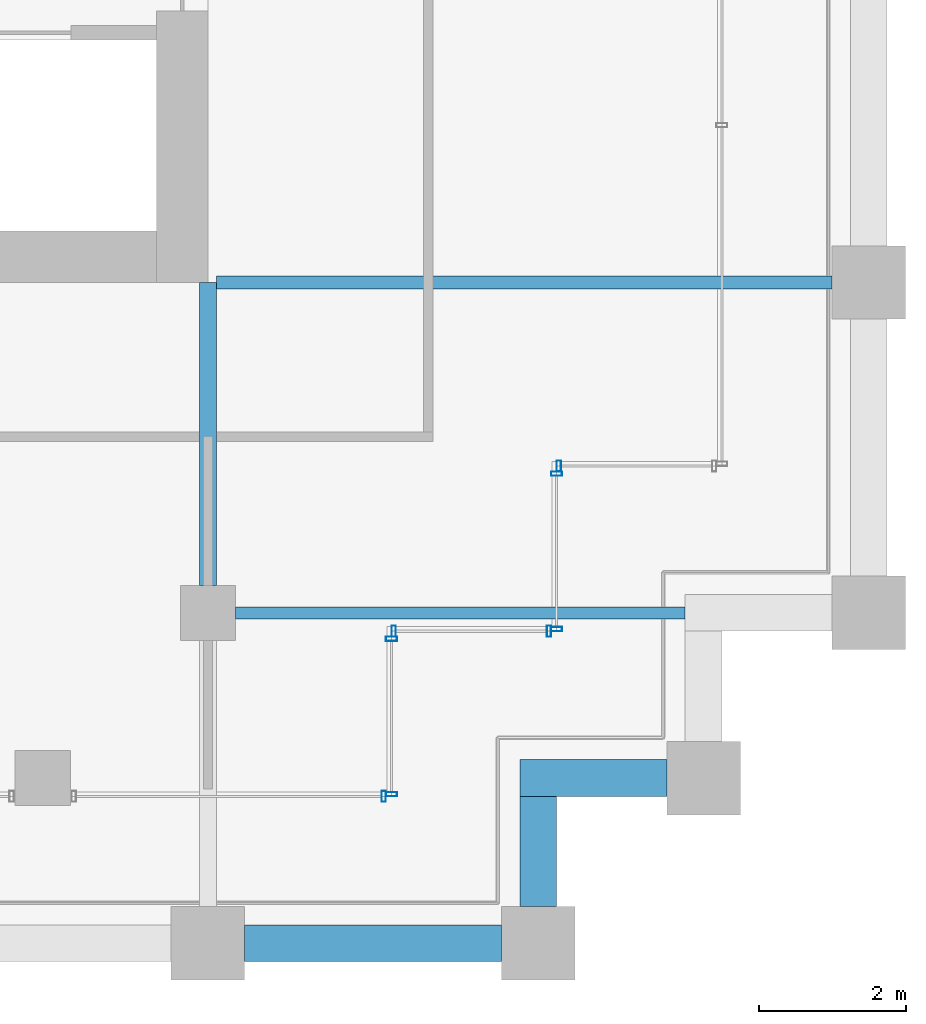
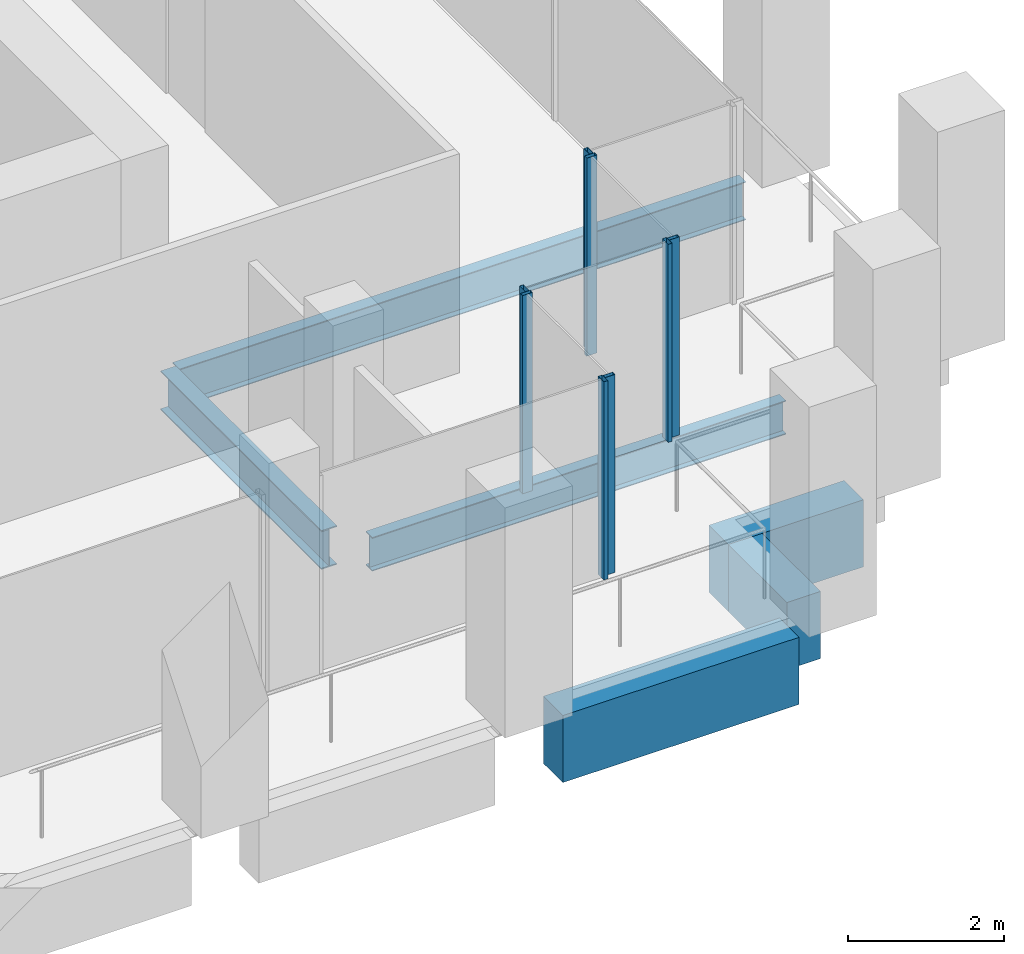
# One storey, part 32 of 46: 8 members, 6 beams, 5 elements without a shape of their own.
"""IFC4 building model written with IfcOpenShell, lengths in metres."""

from ifc_helpers import new_model, si_unit, direction, frame, origin, origin_2d, place, context, subcontext, project, spatial, rectangle, hollow_rectangle, i_section, extrude, material, material_profile, profile_set, type_object, element, aggregate, save


model = new_model("IFC4")

# Units and contexts
model_context = context("Model", 3, precision=1e-05, world=origin(), true_north=direction((0.0, 1.0)))
body_context = subcontext(model_context, "Body", "Model", "MODEL_VIEW")
ifc_project = project(units=[si_unit("LENGTHUNIT", "METRE"), si_unit("AREAUNIT", "SQUARE_METRE"), si_unit("VOLUMEUNIT", "CUBIC_METRE"), si_unit("PLANEANGLEUNIT", "RADIAN"), si_unit("MASSUNIT", "GRAM", prefix="KILO")], contexts=[model_context])

# Site, building, storey
site_placement = place(None, origin())
site = spatial("IfcSite", under=ifc_project, at=site_placement, CompositionType="ELEMENT")
building_placement = place(site_placement, origin())
building = spatial("IfcBuilding", under=site, at=building_placement, Name="Altepetl Exchange Towers", CompositionType="ELEMENT")
storey_placement = place(building_placement, frame((0.0, 0.0, 106.39990234375)))
storey = spatial("IfcBuildingStorey", under=building, at=storey_placement, Name="L26", CompositionType="ELEMENT", Elevation=106.39990234375)

# Beams
ifc_material_1 = material(Name="Steel S355", Category="steel")
ifc_material_profile_1 = material_profile(ifc_material_1, i_section(OverallWidth=0.166015625, OverallDepth=0.529052734375, WebThickness=0.009765625, FlangeThickness=0.013671875, at=origin_2d()), Name="W21X50")
ifc_profile_set_1 = profile_set([ifc_material_profile_1], Name="Steel S355")
beam_type_1 = type_object("IfcBeamType", Name="Floor beam W21X50", PredefinedType="BEAM", material=ifc_profile_set_1)
beam_1_placement = place(storey_placement, frame((117.375, 31.5, -0.414306640625), z_axis=(1.0, 0.0, 0.0), x_axis=(0.0, 1.0, 0.0)))
element("IfcBeam", 1, at=beam_1_placement, inside=storey, type_object=beam_type_1, Name="bm:B:L26:000", PredefinedType="BEAM", context=body_context, shape_type="SweptSolid", body=[
    extrude(i_section(OverallWidth=0.166015625, OverallDepth=0.529052734375, WebThickness=0.009765625, FlangeThickness=0.013671875, at=origin_2d()), origin(), (0.0, 0.0, 1.0), 6.125),
])
ifc_material_profile_2 = material_profile(ifc_material_1, i_section(OverallWidth=0.177978515625, OverallDepth=0.59912109375, WebThickness=0.010009765625, FlangeThickness=0.0126953125, at=origin_2d()), Name="W24X55")
ifc_profile_set_2 = profile_set([ifc_material_profile_2], Name="Steel S355")
beam_type_2 = type_object("IfcBeamType", Name="Floor beam W24X55", PredefinedType="BEAM", material=ifc_profile_set_2)
beam_2_placement = place(storey_placement, frame((117.114013671875, 36.0, -0.449462890625), z_axis=(1.0, 0.0, 0.0), x_axis=(0.0, 1.0, 0.0)))
element("IfcBeam", 2, at=beam_2_placement, inside=storey, type_object=beam_type_2, Name="bm:B:L26:001", PredefinedType="BEAM", context=body_context, shape_type="SweptSolid", body=[
    extrude(i_section(OverallWidth=0.177978515625, OverallDepth=0.59912109375, WebThickness=0.010009765625, FlangeThickness=0.0126953125, at=origin_2d()), origin(), (0.0, 0.0, 1.0), 8.385986328125),
])
ifc_material_profile_3 = material_profile(ifc_material_1, i_section(OverallWidth=0.22802734375, OverallDepth=0.60791015625, WebThickness=0.01123046875, FlangeThickness=0.017333984375, at=origin_2d()), Name="W24X76")
ifc_profile_set_3 = profile_set([ifc_material_profile_3], Name="Steel S355")
beam_type_3 = type_object("IfcBeamType", Name="Girder W24X76", PredefinedType="BEAM", material=ifc_profile_set_3)
beam_3_placement = place(storey_placement, frame((117.0, 36.0, -0.453857421875), z_axis=(0.0, -1.0, 0.0), x_axis=(1.0, 0.0, 0.0)))
element("IfcBeam", 3, at=beam_3_placement, inside=storey, type_object=beam_type_3, Name="gd:B:L26:000", PredefinedType="BEAM", context=body_context, shape_type="SweptSolid", body=[
    extrude(i_section(OverallWidth=0.22802734375, OverallDepth=0.60791015625, WebThickness=0.01123046875, FlangeThickness=0.017333984375, at=origin_2d()), origin(), (0.0, 0.0, 1.0), 4.125),
])

# Curtain wall, member
ifc_material_2 = material(Name="Aluminium 6063-T6 glazing", Category="aluminium")
curtain_wall_type = type_object("IfcCurtainWallType", Name="Loggia glazing system", PredefinedType="NOTDEFINED", material=ifc_material_2)
curtain_wall_1_placement = place(storey_placement, origin())
curtain_wall_1 = element("IfcCurtainWall", 4, at=curtain_wall_1_placement, inside=storey, type_object=curtain_wall_type, Name="CW1 run", PredefinedType="NOTDEFINED")
ifc_material_3 = material(Name="Aluminium 6063-T6", Category="aluminium")
ifc_material_profile_4 = material_profile(ifc_material_3, hollow_rectangle(XDim=0.06005859375, YDim=0.14990234375, WallThickness=0.0029296875, at=origin_2d()), Name="Mullion 60x150 aluminium")
ifc_profile_set_4 = profile_set([ifc_material_profile_4], Name="Aluminium 6063-T6")
member_type = type_object("IfcMemberType", Name="Mullion 60x150 aluminium", PredefinedType="MULLION", material=ifc_profile_set_4)
member_1_placement = place(storey_placement, frame((119.39501953125, 29.0, 0.0)))
member_1 = element("IfcMember", 5, at=member_1_placement, type_object=member_type, Name="MU1 mullion", PredefinedType="MULLION", context=body_context, shape_type="SweptSolid", body=[
    extrude(hollow_rectangle(XDim=0.06005859375, YDim=0.14990234375, WallThickness=0.0029296875, at=origin_2d()), origin(), (0.0, 0.0, 1.0), 3.10009765625),
])
aggregate(curtain_wall_1, [member_1])

# Curtain wall, members
curtain_wall_2_placement = place(storey_placement, origin())
curtain_wall_2 = element("IfcCurtainWall", 6, at=curtain_wall_2_placement, inside=storey, type_object=curtain_wall_type, Name="CW1 run", PredefinedType="NOTDEFINED")
member_2_placement = place(storey_placement, frame((119.5, 29.030029296875, 0.0), z_axis=(0.0, 0.0, 1.0), x_axis=(0.0, 1.0, 0.0)))
member_2 = element("IfcMember", 7, at=member_2_placement, type_object=member_type, Name="MU1 mullion", PredefinedType="MULLION", context=body_context, shape_type="SweptSolid", body=[
    extrude(hollow_rectangle(XDim=0.06005859375, YDim=0.14990234375, WallThickness=0.0029296875, at=origin_2d()), origin(), (0.0, 0.0, 1.0), 3.10009765625),
])
member_3_placement = place(storey_placement, frame((119.5, 31.14501953125, 0.0), z_axis=(0.0, 0.0, 1.0), x_axis=(0.0, 1.0, 0.0)))
member_3 = element("IfcMember", 8, at=member_3_placement, type_object=member_type, Name="MU1 mullion", PredefinedType="MULLION", context=body_context, shape_type="SweptSolid", body=[
    extrude(hollow_rectangle(XDim=0.06005859375, YDim=0.14990234375, WallThickness=0.0029296875, at=origin_2d()), origin(), (0.0, 0.0, 1.0), 3.10009765625),
])
aggregate(curtain_wall_2, [member_2, member_3])

curtain_wall_3_placement = place(storey_placement, origin())
curtain_wall_3 = element("IfcCurtainWall", 9, at=curtain_wall_3_placement, inside=storey, type_object=curtain_wall_type, Name="CW1 run", PredefinedType="NOTDEFINED")
member_4_placement = place(storey_placement, frame((119.530029296875, 31.25, 0.0)))
member_4 = element("IfcMember", 10, at=member_4_placement, type_object=member_type, Name="MU1 mullion", PredefinedType="MULLION", context=body_context, shape_type="SweptSolid", body=[
    extrude(hollow_rectangle(XDim=0.06005859375, YDim=0.14990234375, WallThickness=0.0029296875, at=origin_2d()), origin(), (0.0, 0.0, 1.0), 3.10009765625),
])
member_5_placement = place(storey_placement, frame((121.64501953125, 31.25, 0.0)))
member_5 = element("IfcMember", 11, at=member_5_placement, type_object=member_type, Name="MU1 mullion", PredefinedType="MULLION", context=body_context, shape_type="SweptSolid", body=[
    extrude(hollow_rectangle(XDim=0.06005859375, YDim=0.14990234375, WallThickness=0.0029296875, at=origin_2d()), origin(), (0.0, 0.0, 1.0), 3.10009765625),
])
aggregate(curtain_wall_3, [member_4, member_5])

curtain_wall_4_placement = place(storey_placement, origin())
curtain_wall_4 = element("IfcCurtainWall", 12, at=curtain_wall_4_placement, inside=storey, type_object=curtain_wall_type, Name="CW1 run", PredefinedType="NOTDEFINED")
member_6_placement = place(storey_placement, frame((121.75, 31.280029296875, 0.0), z_axis=(0.0, 0.0, 1.0), x_axis=(0.0, 1.0, 0.0)))
member_6 = element("IfcMember", 13, at=member_6_placement, type_object=member_type, Name="MU1 mullion", PredefinedType="MULLION", context=body_context, shape_type="SweptSolid", body=[
    extrude(hollow_rectangle(XDim=0.06005859375, YDim=0.14990234375, WallThickness=0.0029296875, at=origin_2d()), origin(), (0.0, 0.0, 1.0), 3.10009765625),
])
member_7_placement = place(storey_placement, frame((121.75, 33.39501953125, 0.0), z_axis=(0.0, 0.0, 1.0), x_axis=(0.0, 1.0, 0.0)))
member_7 = element("IfcMember", 14, at=member_7_placement, type_object=member_type, Name="MU1 mullion", PredefinedType="MULLION", context=body_context, shape_type="SweptSolid", body=[
    extrude(hollow_rectangle(XDim=0.06005859375, YDim=0.14990234375, WallThickness=0.0029296875, at=origin_2d()), origin(), (0.0, 0.0, 1.0), 3.10009765625),
])
aggregate(curtain_wall_4, [member_6, member_7])

# Curtain wall, member
curtain_wall_5_placement = place(storey_placement, origin())
curtain_wall_5 = element("IfcCurtainWall", 15, at=curtain_wall_5_placement, inside=storey, type_object=curtain_wall_type, Name="CW1 run", PredefinedType="NOTDEFINED")
member_8_placement = place(storey_placement, frame((121.780029296875, 33.5, 0.0)))
member_8 = element("IfcMember", 16, at=member_8_placement, type_object=member_type, Name="MU1 mullion", PredefinedType="MULLION", context=body_context, shape_type="SweptSolid", body=[
    extrude(hollow_rectangle(XDim=0.06005859375, YDim=0.14990234375, WallThickness=0.0029296875, at=origin_2d()), origin(), (0.0, 0.0, 1.0), 3.10009765625),
])
aggregate(curtain_wall_5, [member_8])

# Beams
ifc_material_4 = material(Name="Concrete C50/60 precast with cantera blanca facing", Category="concrete")
ifc_material_profile_5 = material_profile(ifc_material_4, rectangle(XDim=0.5, YDim=1.050048828125, at=origin_2d()), Name="500 x 1050")
ifc_profile_set_5 = profile_set([ifc_material_profile_5], Name="Concrete C50/60 precast with cantera blanca facing")
beam_type_4 = type_object("IfcBeamType", Name="Spandrel beam 500x1050 cantera blanca", PredefinedType="SPANDREL", material=ifc_profile_set_5)
beam_4_placement = place(storey_placement, frame((117.5, 27.0, -0.6748046875), z_axis=(1.0, 0.0, 0.0), x_axis=(0.0, 1.0, 0.0)))
element("IfcBeam", 17, at=beam_4_placement, inside=storey, type_object=beam_type_4, Name="sp:B:L26:004", PredefinedType="SPANDREL", context=body_context, shape_type="SweptSolid", body=[
    extrude(rectangle(XDim=0.5, YDim=1.050048828125, at=origin_2d()), origin(), (0.0, 0.0, 1.0), 3.5),
])
beam_5_placement = place(storey_placement, frame((121.5, 27.5, -0.6748046875), z_axis=(0.0, 1.0, 0.0), x_axis=(-1.0, 0.0, 0.0)))
element("IfcBeam", 18, at=beam_5_placement, inside=storey, type_object=beam_type_4, Name="sp:B:L26:005", PredefinedType="SPANDREL", context=body_context, shape_type="SweptSolid", body=[
    extrude(rectangle(XDim=0.5, YDim=1.050048828125, at=origin_2d()), origin(), (0.0, 0.0, 1.0), 1.5),
])
beam_6_placement = place(storey_placement, frame((121.25, 29.25, -0.6748046875), z_axis=(1.0, 0.0, 0.0), x_axis=(0.0, 1.0, 0.0)))
element("IfcBeam", 19, at=beam_6_placement, inside=storey, type_object=beam_type_4, Name="sp:B:L26:006", PredefinedType="SPANDREL", context=body_context, shape_type="SweptSolid", body=[
    extrude(rectangle(XDim=0.5, YDim=1.050048828125, at=origin_2d()), origin(), (0.0, 0.0, 1.0), 2.0),
])

save(model, "model.ifc")
